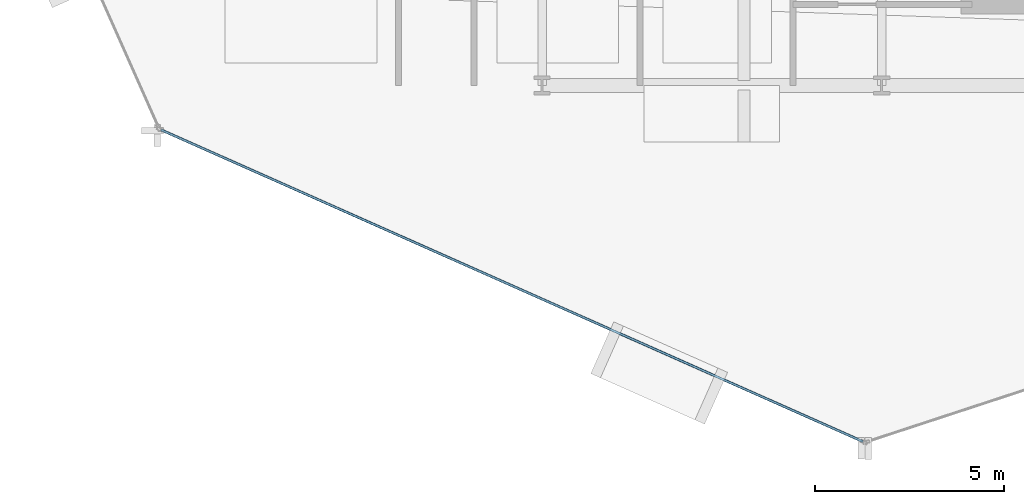
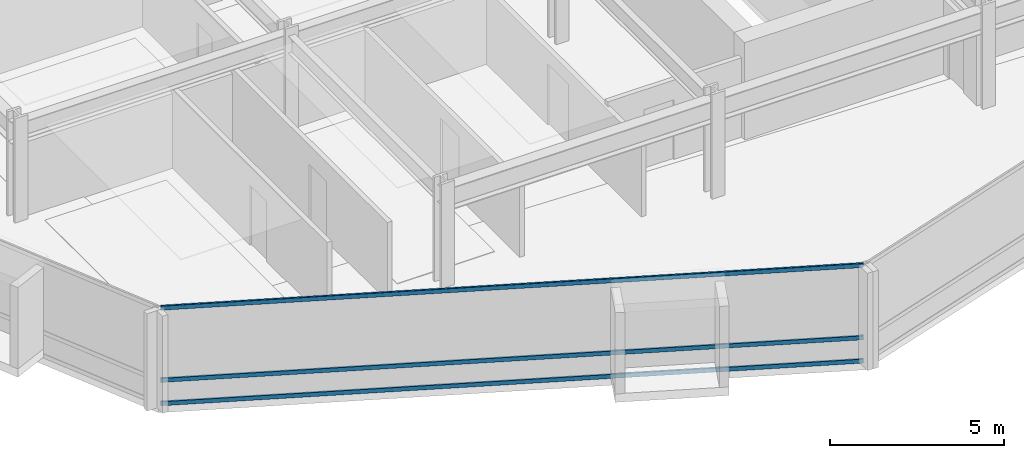
# One storey, part 3 of 34: 3 members, 1 element without a shape of its own.
"""IFC4 building model written with IfcOpenShell, lengths in metres."""

from ifc_helpers import new_model, si_unit, direction, frame, origin, origin_2d, place, context, subcontext, project, spatial, hollow_rectangle, extrude, material, layer, layer_set, material_profile, profile_set, type_object, element, aggregate, save


model = new_model("IFC4")

# Units and contexts
model_context = context("Model", 3, precision=1e-05, world=origin(), true_north=direction((0.0, 1.0)))
body_context = subcontext(model_context, "Body", "Model", "MODEL_VIEW")
ifc_project = project(units=[si_unit("LENGTHUNIT", "METRE"), si_unit("AREAUNIT", "SQUARE_METRE"), si_unit("VOLUMEUNIT", "CUBIC_METRE"), si_unit("PLANEANGLEUNIT", "RADIAN"), si_unit("MASSUNIT", "GRAM", prefix="KILO")], contexts=[model_context])

# Site, building, storey
site_placement = place(None, origin())
site = spatial("IfcSite", under=ifc_project, at=site_placement, CompositionType="ELEMENT")
building_placement = place(site_placement, origin())
building = spatial("IfcBuilding", under=site, at=building_placement, Name="Solvaryn Broadcast Tower", CompositionType="ELEMENT")
storey_placement = place(building_placement, frame((0.0, 0.0, 54.5)))
storey = spatial("IfcBuildingStorey", under=building, at=storey_placement, Name="L12", CompositionType="ELEMENT", Elevation=54.5)

# Curtain wall, members
ifc_material_1 = material(Name="Aluminium and Terracotta Unitised Curtain Wall", Category="masonry")
ifc_layer = layer(ifc_material_1, 0.199951171875)
ifc_layer_set = layer_set([ifc_layer], Name="CW-SYS2-LOWMID")
curtain_wall_type = type_object("IfcCurtainWallType", Name="CW-SYS2-LOWMID", PredefinedType="NOTDEFINED", material=ifc_layer_set)
curtain_wall_placement = place(storey_placement, origin())
curtain_wall = element("IfcCurtainWall", 1, at=curtain_wall_placement, inside=storey, type_object=curtain_wall_type, Name="L12 Curtain Wall DR3", PredefinedType="NOTDEFINED")
ifc_material_2 = material(Name="Anodised Aluminium 6063-T6", Category="aluminium")
ifc_material_profile = material_profile(ifc_material_2, hollow_rectangle(XDim=0.06494140625, YDim=0.14990234375, WallThickness=0.00390625, InnerFilletRadius=0.00390625, OuterFilletRadius=0.008056640625, at=origin_2d()))
ifc_profile_set = profile_set([ifc_material_profile], Name="Anodised Aluminium 6063-T6")
member_type = type_object("IfcMemberType", Name="CW-TRN-150", PredefinedType="USERDEFINED", material=ifc_profile_set)
member_1_placement = place(storey_placement, frame((7.90185546875, 7.82275390625, 0.030029296875), z_axis=(0.913914888191, -0.405905872269, 0.0), x_axis=(0.405905872269, 0.913914888191, 0.0)))
member_1 = element("IfcMember", 2, at=member_1_placement, type_object=member_type, Name="CWS2 transom 1.1", ObjectType="TRANSOM", PredefinedType="USERDEFINED", context=body_context, shape_type="SweptSolid", body=[
    extrude(hollow_rectangle(XDim=0.06494140625, YDim=0.14990234375, WallThickness=0.00390625, InnerFilletRadius=0.00390625, OuterFilletRadius=0.008056640625, at=origin_2d()), origin(), (0.0, 0.0, 1.0), 20.35546875),
])
member_2_placement = place(storey_placement, frame((7.90185546875, 7.82275390625, 0.85009765625), z_axis=(0.913914888191, -0.405905872269, 0.0), x_axis=(0.405905872269, 0.913914888191, 0.0)))
member_2 = element("IfcMember", 3, at=member_2_placement, type_object=member_type, Name="CWS2 transom 1.2", ObjectType="TRANSOM", PredefinedType="USERDEFINED", context=body_context, shape_type="SweptSolid", body=[
    extrude(hollow_rectangle(XDim=0.06494140625, YDim=0.14990234375, WallThickness=0.00390625, InnerFilletRadius=0.00390625, OuterFilletRadius=0.008056640625, at=origin_2d()), origin(), (0.0, 0.0, 1.0), 20.35546875),
])
member_3_placement = place(storey_placement, frame((7.90185546875, 7.82275390625, 3.389892578125), z_axis=(0.913914888191, -0.405905872269, 0.0), x_axis=(0.405905872269, 0.913914888191, 0.0)))
member_3 = element("IfcMember", 4, at=member_3_placement, type_object=member_type, Name="CWS2 transom 1.3", ObjectType="TRANSOM", PredefinedType="USERDEFINED", context=body_context, shape_type="SweptSolid", body=[
    extrude(hollow_rectangle(XDim=0.06494140625, YDim=0.14990234375, WallThickness=0.00390625, InnerFilletRadius=0.00390625, OuterFilletRadius=0.008056640625, at=origin_2d()), origin(), (0.0, 0.0, 1.0), 20.35546875),
])
aggregate(curtain_wall, [member_1, member_2, member_3])

save(model, "model.ifc")
